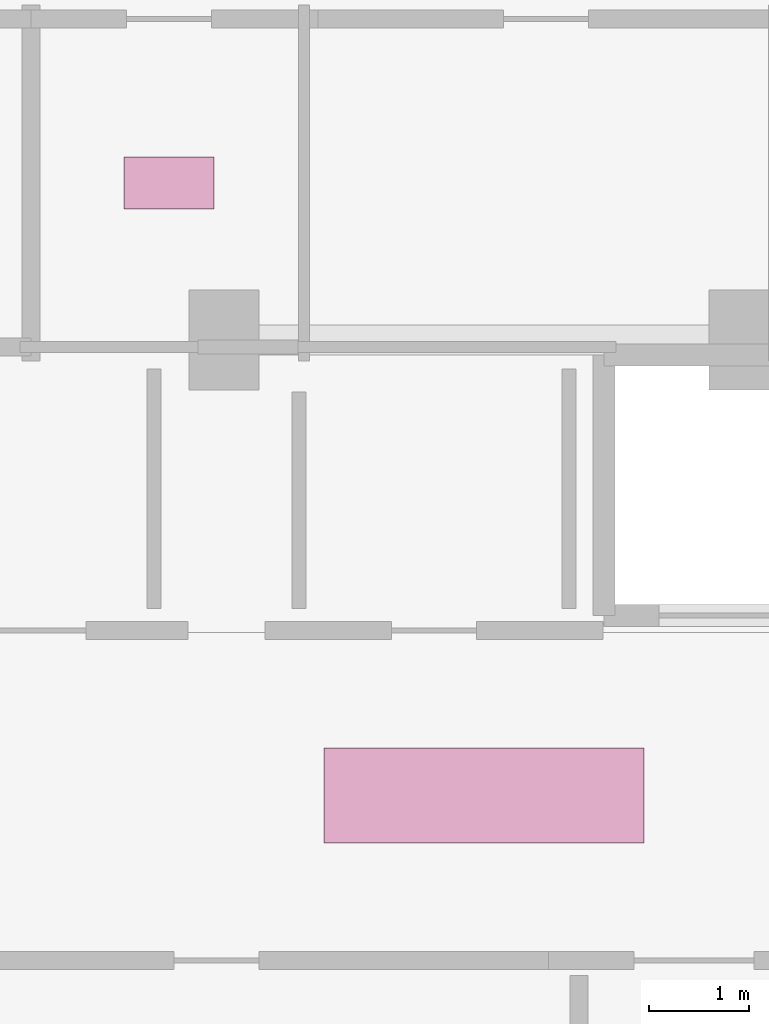
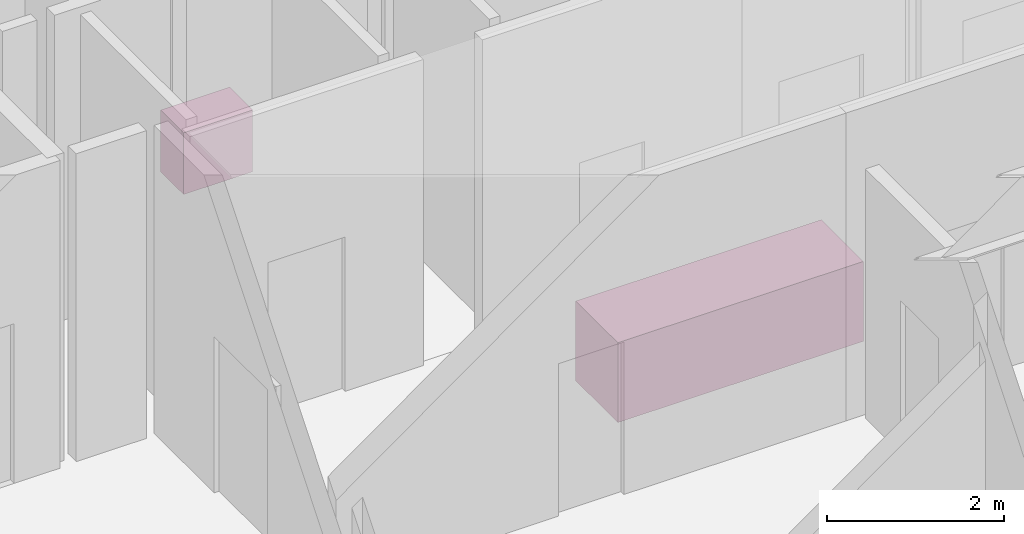
# One storey, part 27 of 27: 2 furnishings.
"""IFC4 building model written with IfcOpenShell, lengths in metres."""

from ifc_helpers import new_model, si_unit, direction, frame, origin, origin_2d, place, context, subcontext, project, spatial, rectangle, extrude, material, type_object, element, save


model = new_model("IFC4")

# Units and contexts
model_context = context("Model", 3, precision=1e-05, world=origin(), true_north=direction((0.0, 1.0)))
body_context = subcontext(model_context, "Body", "Model", "MODEL_VIEW")
ifc_project = project(units=[si_unit("LENGTHUNIT", "METRE"), si_unit("AREAUNIT", "SQUARE_METRE"), si_unit("VOLUMEUNIT", "CUBIC_METRE"), si_unit("PLANEANGLEUNIT", "RADIAN"), si_unit("MASSUNIT", "GRAM", prefix="KILO")], contexts=[model_context])

# Site, building, storey
site_placement = place(None, origin())
site = spatial("IfcSite", under=ifc_project, at=site_placement, CompositionType="ELEMENT")
building_placement = place(site_placement, origin())
building = spatial("IfcBuilding", under=site, at=building_placement, Name="Vorneva Point Tower", CompositionType="ELEMENT")
storey_placement = place(building_placement, frame((0.0, 0.0, 229.75)))
storey = spatial("IfcBuildingStorey", under=building, at=storey_placement, Name="L62", CompositionType="ELEMENT", Elevation=229.75)

# Furnishings
ifc_material_1 = material(Name="Engineered oak fire-rated door leaf", Category="wood")
furniture_type_1 = type_object("IfcFurnitureType", Name="FUR-DSK-3200", AssemblyPlace="NOTDEFINED", PredefinedType="NOTDEFINED", material=ifc_material_1)
furnishing_1_placement = place(storey_placement, frame((38.0, 26.0, -0.005126953125), z_axis=(0.0, 0.0, 1.0), x_axis=(1.0, 0.0, 0.0)))
element("IfcFurnishingElement", 1, at=furnishing_1_placement, inside=storey, type_object=furniture_type_1, Name="L62 Reception and Concierge Desk", ObjectType="L62 Reception and Concierge Desk", context=body_context, shape_type="SweptSolid", body=[
    extrude(rectangle(XDim=3.199951171875, YDim=0.949951171875, at=origin_2d()), origin(), (0.0, 0.0, 1.0), 1.10009765625),
])
ifc_material_2 = material(Name="Vitreous china and granite top", Category="masonry")
furniture_type_2 = type_object("IfcFurnitureType", Name="FUR-VAN-900", AssemblyPlace="NOTDEFINED", PredefinedType="NOTDEFINED", material=ifc_material_2)
furnishing_2_placement = place(storey_placement, frame((34.85009765625, 32.1201171875, -0.005126953125), z_axis=(0.0, 0.0, 1.0), x_axis=(1.0, 0.0, 0.0)))
element("IfcFurnishingElement", 2, at=furnishing_2_placement, inside=storey, type_object=furniture_type_2, Name="L62 Public Male WC Vanity Unit", ObjectType="L62 Public Male WC Vanity Unit", context=body_context, shape_type="SweptSolid", body=[
    extrude(rectangle(XDim=0.89990234375, YDim=0.52001953125, at=origin_2d()), origin(), (0.0, 0.0, 1.0), 0.85009765625),
])

save(model, "model.ifc")
